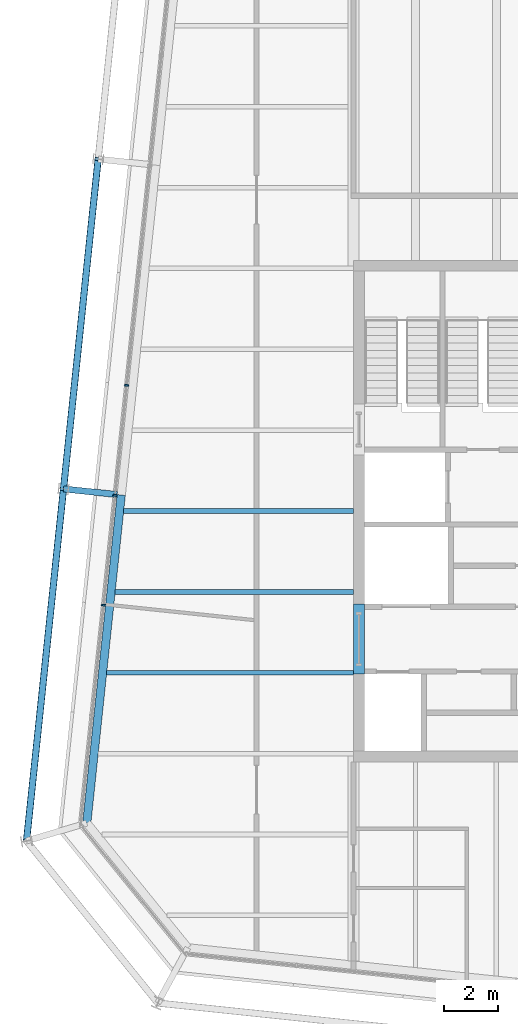
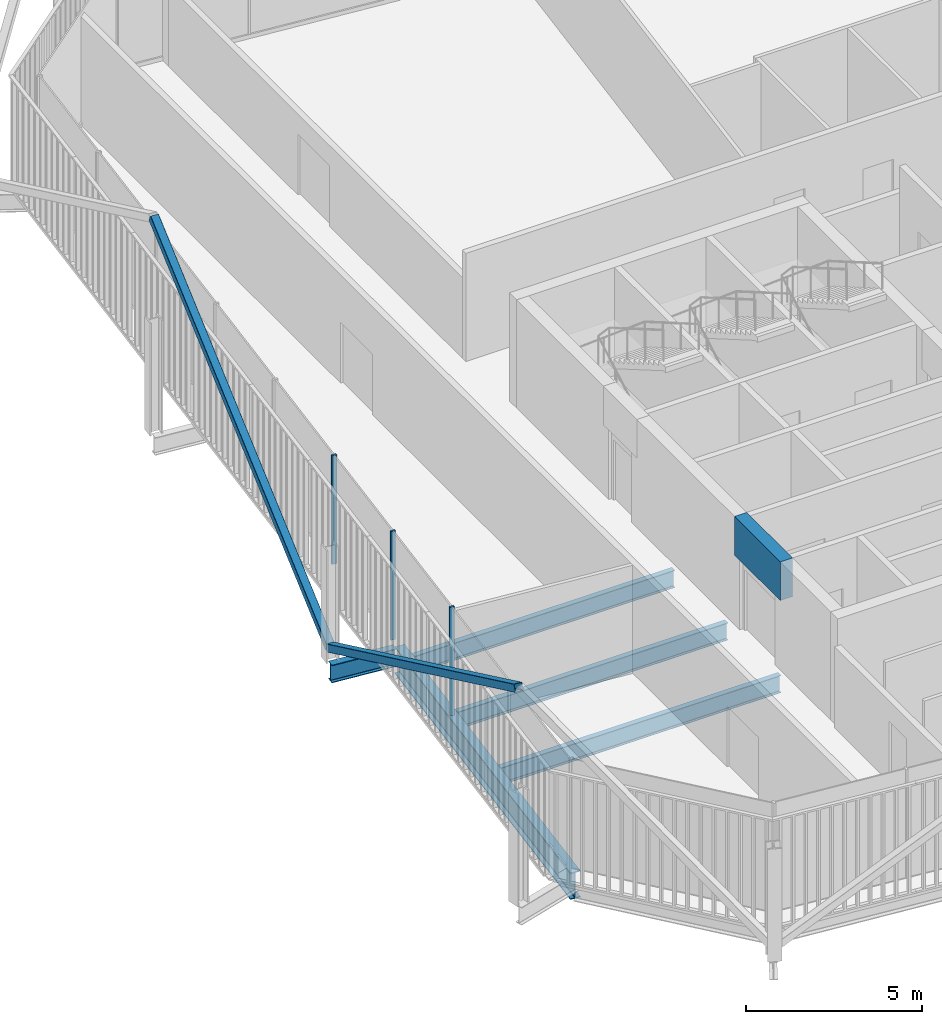
# One storey, part 6 of 21: 6 beams, 5 members, 1 element without a shape of its own.
"""IFC4 building model written with IfcOpenShell, lengths in metres."""

from ifc_helpers import new_model, si_unit, direction, frame, origin, origin_2d, place, context, subcontext, project, spatial, rectangle, hollow_rectangle, i_section, extrude, material, layer, layer_set, material_profile, profile_set, type_object, element, aggregate, save


model = new_model("IFC4")

# Units and contexts
model_context = context("Model", 3, precision=1e-05, world=origin(), true_north=direction((0.0, 1.0)))
body_context = subcontext(model_context, "Body", "Model", "MODEL_VIEW")
ifc_project = project(units=[si_unit("LENGTHUNIT", "METRE"), si_unit("AREAUNIT", "SQUARE_METRE"), si_unit("VOLUMEUNIT", "CUBIC_METRE"), si_unit("PLANEANGLEUNIT", "RADIAN"), si_unit("MASSUNIT", "GRAM", prefix="KILO")], contexts=[model_context])

# Site, building, storey
site_placement = place(None, origin())
site = spatial("IfcSite", under=ifc_project, at=site_placement, CompositionType="ELEMENT")
building_placement = place(site_placement, origin())
building = spatial("IfcBuilding", under=site, at=building_placement, Name="Millrace Tower", CompositionType="ELEMENT")
storey_placement = place(building_placement, frame((0.0, 0.0, 318.699951171875)))
storey = spatial("IfcBuildingStorey", under=building, at=storey_placement, Name="L73", CompositionType="ELEMENT", Elevation=318.699951171875)

# Curtain wall, members
ifc_material_1 = material(Name="Aluminium and glass", Category="aluminium")
ifc_layer = layer(ifc_material_1, 0.14990234375)
ifc_layer_set = layer_set([ifc_layer], Name="Aluminium and glass")
curtain_wall_type = type_object("IfcCurtainWallType", Name="CW-1 office vision curtain wall", PredefinedType="NOTDEFINED", material=ifc_layer_set)
curtain_wall_placement = place(storey_placement, origin())
curtain_wall = element("IfcCurtainWall", 1, at=curtain_wall_placement, inside=storey, type_object=curtain_wall_type, Name="Curtain wall E-F08 L73", PredefinedType="NOTDEFINED")
ifc_material_2 = material(Name="Aluminium", Category="aluminium")
ifc_material_profile_1 = material_profile(ifc_material_2, rectangle(XDim=0.06494140625, YDim=0.14990234375, at=origin_2d()))
ifc_profile_set_1 = profile_set([ifc_material_profile_1], Name="Aluminium")
member_type_1 = type_object("IfcMemberType", Name="CW-1 office vision curtain wall mullion", PredefinedType="MULLION", material=ifc_profile_set_1)
member_1_placement = place(storey_placement, frame((-22.717529296875, 4.664794921875, 0.14013671875), z_axis=(0.0, 0.0, 1.0), x_axis=(-0.104528455196, -0.994521896217, 0.0)))
member_1 = element("IfcMember", 2, at=member_1_placement, type_object=member_type_1, Name="CW1 mullion E-F08.6", PredefinedType="MULLION", context=body_context, shape_type="SweptSolid", body=[
    extrude(rectangle(XDim=0.06494140625, YDim=0.14990234375, at=origin_2d()), origin(), (0.0, 0.0, 1.0), 3.760009765625),
])
member_2_placement = place(storey_placement, frame((-23.146240234375, 0.587158203125, 0.14013671875), z_axis=(0.0, 0.0, 1.0), x_axis=(-0.104528455196, -0.994521896217, 0.0)))
member_2 = element("IfcMember", 3, at=member_2_placement, type_object=member_type_1, Name="CW1 mullion E-F08.7", PredefinedType="MULLION", context=body_context, shape_type="SweptSolid", body=[
    extrude(rectangle(XDim=0.06494140625, YDim=0.14990234375, at=origin_2d()), origin(), (0.0, 0.0, 1.0), 3.760009765625),
])
member_3_placement = place(storey_placement, frame((-23.57470703125, -3.490234375, 0.14013671875), z_axis=(0.0, 0.0, 1.0), x_axis=(-0.104528455196, -0.994521896217, 0.0)))
member_3 = element("IfcMember", 4, at=member_3_placement, type_object=member_type_1, Name="CW1 mullion E-F08.8", PredefinedType="MULLION", context=body_context, shape_type="SweptSolid", body=[
    extrude(rectangle(XDim=0.06494140625, YDim=0.14990234375, at=origin_2d()), origin(), (0.0, 0.0, 1.0), 3.760009765625),
])
aggregate(curtain_wall, [member_1, member_2, member_3])

# Beam
ifc_material_3 = material(Name="Concrete C60", Category="concrete")
ifc_material_profile_2 = material_profile(ifc_material_3, rectangle(XDim=0.39990234375, YDim=1.340087890625, at=origin_2d()))
ifc_profile_set_2 = profile_set([ifc_material_profile_2], Name="Concrete C60")
beam_type_1 = type_object("IfcBeamType", Name="Coupling beam 400 x 1340 Concrete C60, 2000 opening", PredefinedType="BEAM", material=ifc_profile_set_2)
beam_1_placement = place(storey_placement, frame((-14.10009765625, -6.050048828125, 3.070068359375), z_axis=(0.0, 1.0, 0.0), x_axis=(-1.0, 0.0, 0.0)))
element("IfcBeam", 5, at=beam_1_placement, inside=storey, type_object=beam_type_1, Name="Coupling beam W L73", PredefinedType="BEAM", context=body_context, shape_type="SweptSolid", body=[
    extrude(rectangle(XDim=0.39990234375, YDim=1.340087890625, at=origin_2d()), origin(), (0.0, 0.0, 1.0), 2.60009765625),
])

# Members
ifc_material_4 = material(Name="Steel ASTM A500 Grade C", Category="steel")
ifc_material_profile_3 = material_profile(ifc_material_4, hollow_rectangle(XDim=0.25390625, YDim=0.25390625, WallThickness=0.009521484375, InnerFilletRadius=0.004638671875, OuterFilletRadius=0.014404296875, at=origin_2d()))
ifc_profile_set_3 = profile_set([ifc_material_profile_3], Name="Steel ASTM A500 Grade C")
member_type_2 = type_object("IfcMemberType", Name="Exoskeleton brace HSS10x10x3/8", PredefinedType="BRACE", material=ifc_profile_set_3)
member_4_placement = place(storey_placement, frame((-25.057373046875, 0.82080078125, 0.400146484375), z_axis=(0.090859841027, 0.864350167962, 0.494614270348), x_axis=(-0.994520342986, 0.104543232143, 0.0)))
element("IfcMember", 6, at=member_4_placement, inside=storey, type_object=member_type_2, Name="BRC-E-L73-15", PredefinedType="BRACE", context=body_context, shape_type="SweptSolid", body=[
    extrude(hollow_rectangle(XDim=0.25390625, YDim=0.25390625, WallThickness=0.009521484375, InnerFilletRadius=0.004638671875, OuterFilletRadius=0.014404296875, at=origin_2d()), origin(), (0.0, 0.0, 1.0), 14.15234375),
])
member_5_placement = place(storey_placement, frame((-25.057373046875, 0.82080078125, 0.400146484375), z_axis=(-0.092220680702, -0.877573310314, 0.47048956532), x_axis=(0.994523779096, -0.104510539239, 0.0)))
element("IfcMember", 7, at=member_5_placement, inside=storey, type_object=member_type_2, Name="BRC-E-L73-16", PredefinedType="BRACE", context=body_context, shape_type="SweptSolid", body=[
    extrude(hollow_rectangle(XDim=0.25390625, YDim=0.25390625, WallThickness=0.009521484375, InnerFilletRadius=0.004638671875, OuterFilletRadius=0.014404296875, at=origin_2d()), origin(), (0.0, 0.0, 1.0), 14.878173828125),
])

# Beams
ifc_material_5 = material(Name="Steel ASTM A992 Grade 50", Category="steel")
ifc_material_profile_4 = material_profile(ifc_material_5, i_section(OverallWidth=0.177978515625, OverallDepth=0.599365234375, WebThickness=0.010009765625, FlangeThickness=0.012939453125, FilletRadius=0.012939453125, at=origin_2d()))
ifc_profile_set_4 = profile_set([ifc_material_profile_4], Name="Steel ASTM A992 Grade 50")
beam_type_2 = type_object("IfcBeamType", Name="Floor beam W24x55", PredefinedType="JOIST", material=ifc_profile_set_4)
beam_2_placement = place(storey_placement, frame((-23.4541015625, -6.0, -0.459716796875), z_axis=(1.0, 0.0, 0.0), x_axis=(0.0, 1.0, 0.0)))
element("IfcBeam", 8, at=beam_2_placement, inside=storey, type_object=beam_type_2, Name="BM-E-L73-S1-S009", PredefinedType="JOIST", context=body_context, shape_type="SweptSolid", body=[
    extrude(i_section(OverallWidth=0.177978515625, OverallDepth=0.599365234375, WebThickness=0.010009765625, FlangeThickness=0.012939453125, FilletRadius=0.012939453125, at=origin_2d()), origin(), (0.0, 0.0, 1.0), 9.154052734375),
])
beam_3_placement = place(storey_placement, frame((-23.138916015625, -3.0, -0.459716796875), z_axis=(1.0, 0.0, 0.0), x_axis=(0.0, 1.0, 0.0)))
element("IfcBeam", 9, at=beam_3_placement, inside=storey, type_object=beam_type_2, Name="BM-E-L73-S1-S012", PredefinedType="JOIST", context=body_context, shape_type="SweptSolid", body=[
    extrude(i_section(OverallWidth=0.177978515625, OverallDepth=0.599365234375, WebThickness=0.010009765625, FlangeThickness=0.012939453125, FilletRadius=0.012939453125, at=origin_2d()), origin(), (0.0, 0.0, 1.0), 8.8388671875),
])
beam_4_placement = place(storey_placement, frame((-22.823486328125, 0.0, -0.459716796875), z_axis=(1.0, 0.0, 0.0), x_axis=(0.0, 1.0, 0.0)))
element("IfcBeam", 10, at=beam_4_placement, inside=storey, type_object=beam_type_2, Name="BM-E-L73-S1-S015", PredefinedType="JOIST", context=body_context, shape_type="SweptSolid", body=[
    extrude(i_section(OverallWidth=0.177978515625, OverallDepth=0.599365234375, WebThickness=0.010009765625, FlangeThickness=0.012939453125, FilletRadius=0.012939453125, at=origin_2d()), origin(), (0.0, 0.0, 1.0), 8.5234375),
])
ifc_material_6 = material(Name="Steel ASTM A992 Grade 50", Category="steel")
ifc_material_profile_5 = material_profile(ifc_material_6, i_section(OverallWidth=0.23046875, OverallDepth=0.6171875, WebThickness=0.01318359375, FlangeThickness=0.022216796875, FilletRadius=0.012939453125, at=origin_2d()))
ifc_profile_set_5 = profile_set([ifc_material_profile_5], Name="Steel ASTM A992 Grade 50")
beam_type_3 = type_object("IfcBeamType", Name="Link beam W24x94", PredefinedType="BEAM", material=ifc_profile_set_5)
beam_5_placement = place(storey_placement, frame((-23.068115234375, 0.61181640625, -0.468505859375), z_axis=(-0.994526834051, 0.104481464157, 0.0), x_axis=(-0.104481464157, -0.994526834051, 0.0)))
element("IfcBeam", 11, at=beam_5_placement, inside=storey, type_object=beam_type_3, Name="LNK-E-L73-S1-02", PredefinedType="BEAM", context=body_context, shape_type="SweptSolid", body=[
    extrude(i_section(OverallWidth=0.23046875, OverallDepth=0.6171875, WebThickness=0.01318359375, FlangeThickness=0.022216796875, FilletRadius=0.012939453125, at=origin_2d()), origin(), (0.0, 0.0, 1.0), 2.000244140625),
])
ifc_material_7 = material(Name="Steel ASTM A992 Grade 50", Category="steel")
ifc_material_profile_6 = material_profile(ifc_material_7, i_section(OverallWidth=0.307373046875, OverallDepth=0.927001953125, WebThickness=0.01953125, FlangeThickness=0.031982421875, FilletRadius=0.01904296875, at=origin_2d()))
ifc_profile_set_6 = profile_set([ifc_material_profile_6], Name="Steel ASTM A992 Grade 50")
beam_type_4 = type_object("IfcBeamType", Name="Ring beam medium span W36x194", PredefinedType="SPANDREL", material=ifc_profile_set_6)
beam_6_placement = place(storey_placement, frame((-24.1943359375, -11.57373046875, -0.62353515625), z_axis=(0.104527955888, 0.994521948696, 0.0), x_axis=(-0.994521948696, 0.104527955888, 0.0)))
element("IfcBeam", 12, at=beam_6_placement, inside=storey, type_object=beam_type_4, Name="RNG-E-L73-S1-01", PredefinedType="SPANDREL", context=body_context, shape_type="SweptSolid", body=[
    extrude(i_section(OverallWidth=0.307373046875, OverallDepth=0.927001953125, WebThickness=0.01953125, FlangeThickness=0.031982421875, FilletRadius=0.01904296875, at=origin_2d()), origin(), (0.0, 0.0, 1.0), 12.236572265625),
])

save(model, "model.ifc")
